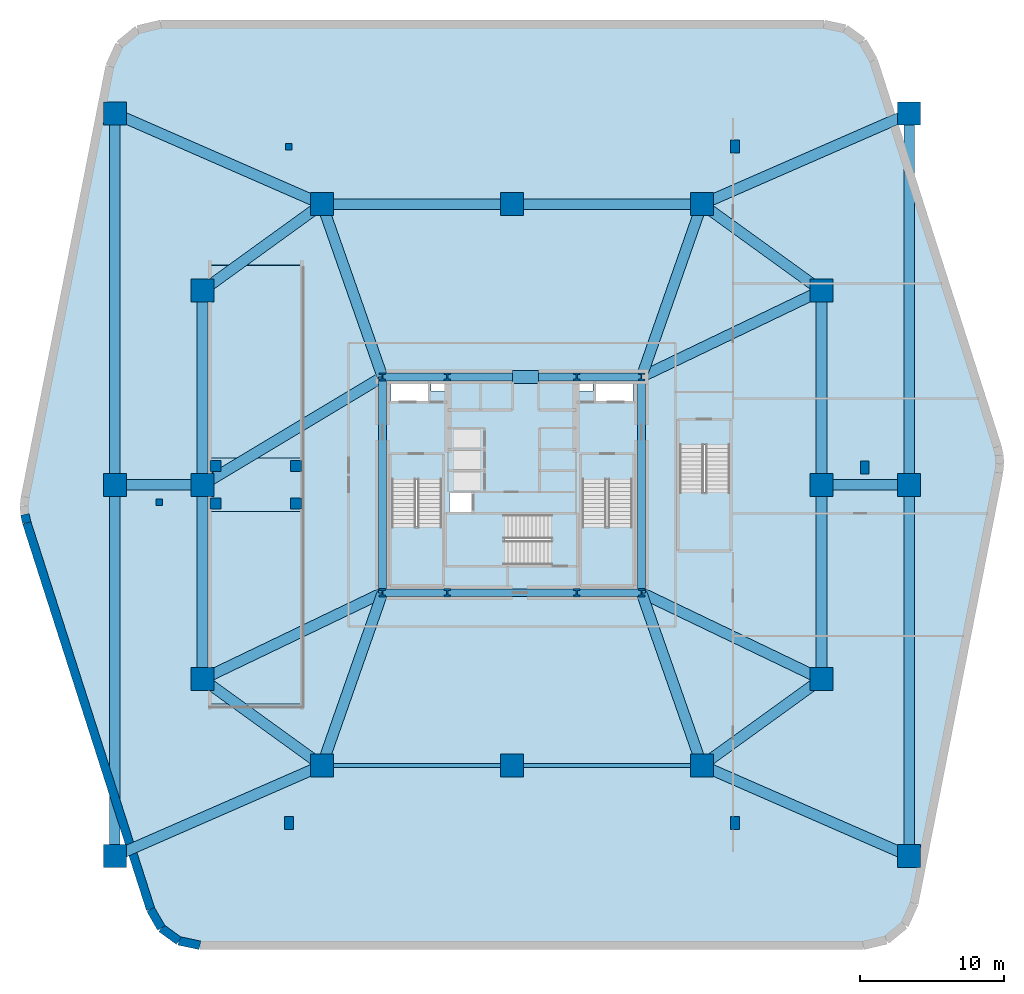
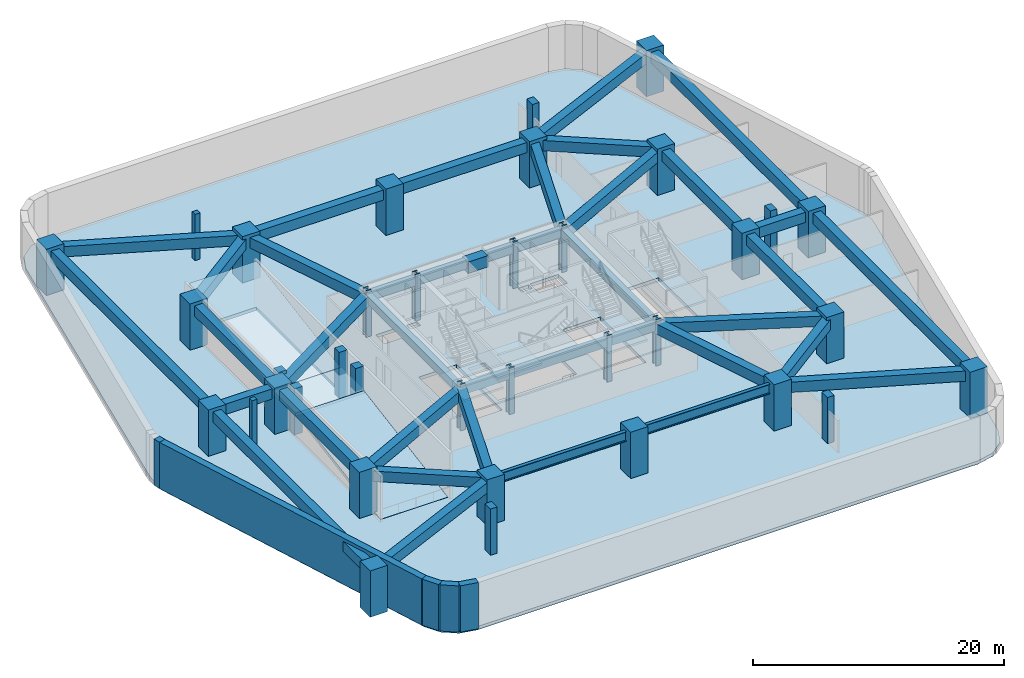
# One storey, part 1 of 9: 39 beams, 36 columns, 8 slabs, 5 walls, 4 elements without a shape of their own.
"""IFC4 building model written with IfcOpenShell, lengths in metres."""

from ifc_helpers import new_model, si_unit, direction, frame, frame_2d, origin, origin_2d, place, context, subcontext, project, spatial, polyline, rectangle, i_section, outline, extrude, material, layer, layer_set, material_profile, profile_set, type_object, element, aggregate, save


model = new_model("IFC4")

# Units and contexts
model_context = context("Model", 3, precision=1e-05, world=origin(), true_north=direction((0.0, 1.0)))
body_context = subcontext(model_context, "Body", "Model", "MODEL_VIEW")
ifc_project = project(units=[si_unit("LENGTHUNIT", "METRE"), si_unit("AREAUNIT", "SQUARE_METRE"), si_unit("VOLUMEUNIT", "CUBIC_METRE"), si_unit("PLANEANGLEUNIT", "RADIAN"), si_unit("MASSUNIT", "GRAM", prefix="KILO")], contexts=[model_context])

# Site, building, storey
site_placement = place(None, origin())
site = spatial("IfcSite", under=ifc_project, at=site_placement, CompositionType="ELEMENT")
building_placement = place(site_placement, origin())
building = spatial("IfcBuilding", under=site, at=building_placement, Name="Kilnhurst Terrace Hotel", CompositionType="ELEMENT")
storey_placement = place(building_placement, frame((0.0, 0.0, -4.5)))
storey = spatial("IfcBuildingStorey", under=building, at=storey_placement, Name="B1", CompositionType="ELEMENT", Elevation=-4.5)

# Columns
ifc_material_1 = material(Name="Concrete C80/95", Category="concrete")
ifc_material_profile_1 = material_profile(ifc_material_1, rectangle(XDim=1.60009765625, YDim=1.60009765625, at=origin_2d()), Name="RC1600X1600")
ifc_profile_set_1 = profile_set([ifc_material_profile_1], Name="Concrete C80/95")
column_type_1 = type_object("IfcColumnType", Name="COL-RC-1600", PredefinedType="COLUMN", material=ifc_profile_set_1)
for number, where, z_axis, x_axis, name in (
    (1, (-21.5, -13.5, 0.0), (0.0, 0.0, 1.0), (1.0, 0.0, 0.0), "B1 Structural Column MC-W1"),
    (2, (-21.5, 0.0, 0.0), (0.0, 0.0, 1.0), (1.0, 0.0, 0.0), "B1 Structural Column MC-W2"),
    (3, (-21.5, 13.5, 0.0), (0.0, 0.0, 1.0), (1.0, 0.0, 0.0), "B1 Structural Column MC-W3"),
    (4, (21.5, -13.5, 0.0), (0.0, 0.0, 1.0), (1.0, 0.0, 0.0), "B1 Structural Column MC-E1"),
    (5, (21.5, 0.0, 0.0), (0.0, 0.0, 1.0), (1.0, 0.0, 0.0), "B1 Structural Column MC-E2"),
    (6, (21.5, 13.5, 0.0), (0.0, 0.0, 1.0), (1.0, 0.0, 0.0), "B1 Structural Column MC-E3"),
    (7, (-13.199951171875, -19.5, 0.0), (0.0, 0.0, 1.0), (1.0, 0.0, 0.0), "B1 Structural Column MC-S1"),
    (8, (13.199951171875, -19.5, 0.0), (0.0, 0.0, 1.0), (1.0, 0.0, 0.0), "B1 Structural Column MC-S2"),
    (9, (-13.199951171875, 19.5, 0.0), (0.0, 0.0, 1.0), (1.0, 0.0, 0.0), "B1 Structural Column MC-N1"),
    (10, (0.0, 19.5, 0.0), (0.0, 0.0, 1.0), (1.0, 0.0, 0.0), "B1 Structural Column MC-N2"),
    (11, (13.199951171875, 19.5, 0.0), (0.0, 0.0, 1.0), (1.0, 0.0, 0.0), "B1 Structural Column MC-N3"),
    (12, (-27.60009765625, -25.800048828125, 0.0), (0.0, 0.0, 1.0), (1.0, 0.0, 0.0), "B1 Structural Column BC-SW"),
    (13, (27.60009765625, -25.800048828125, 0.0), (0.0, 0.0, 1.0), (1.0, 0.0, 0.0), "B1 Structural Column BC-SE"),
    (14, (27.60009765625, 25.800048828125, 0.0), (0.0, 0.0, 1.0), (1.0, 0.0, 0.0), "B1 Structural Column BC-NE"),
    (15, (-27.60009765625, 25.800048828125, 0.0), (0.0, 0.0, 1.0), (1.0, 0.0, 0.0), "B1 Structural Column BC-NW"),
    (16, (-27.60009765625, 0.0, 0.0), (0.0, 0.0, 1.0), (1.0, 0.0, 0.0), "B1 Structural Column BC-W"),
    (17, (27.60009765625, 0.0, 0.0), (0.0, 0.0, 1.0), (1.0, 0.0, 0.0), "B1 Structural Column BC-E"),
    (18, (0.0, -19.5, 0.0), (0.0, 0.0, 1.0), (1.0, 0.0, 0.0), "B1 Structural Column MC-SB0"),
):
    element("IfcColumn", number, at=place(storey_placement, frame(where, z_axis=z_axis, x_axis=x_axis)), inside=storey, type_object=column_type_1, Name=name, PredefinedType="COLUMN", context=body_context, shape_type="SweptSolid", body=[
        extrude(rectangle(XDim=1.60009765625, YDim=1.60009765625, at=origin_2d()), origin(), (0.0, 0.0, 1.0), 4.5),
    ])
ifc_material_2 = material(Name="Concrete C60/75", Category="concrete")
ifc_material_profile_2 = material_profile(ifc_material_2, rectangle(XDim=0.75, YDim=0.75, at=origin_2d()), Name="RC750X750")
ifc_profile_set_2 = profile_set([ifc_material_profile_2], Name="Concrete C60/75")
column_type_2 = type_object("IfcColumnType", Name="COL-RC-750", PredefinedType="COLUMN", material=ifc_profile_set_2)
for number, where, z_axis, x_axis, name in (
    (19, (-20.60009765625, -1.300048828125, 0.0), (0.0, 0.0, 1.0), (1.0, 0.0, 0.0), "B1 Ramp Landing Support Column 1"),
    (20, (-15.0, -1.300048828125, 0.0), (0.0, 0.0, 1.0), (1.0, 0.0, 0.0), "B1 Ramp Landing Support Column 2"),
    (21, (-20.60009765625, 1.300048828125, 0.0), (0.0, 0.0, 1.0), (1.0, 0.0, 0.0), "B1 Ramp Landing Support Column 3"),
    (22, (-15.0, 1.300048828125, 0.0), (0.0, 0.0, 1.0), (1.0, 0.0, 0.0), "B1 Ramp Landing Support Column 4"),
):
    element("IfcColumn", number, at=place(storey_placement, frame(where, z_axis=z_axis, x_axis=x_axis)), inside=storey, type_object=column_type_2, Name=name, PredefinedType="COLUMN", context=body_context, shape_type="SweptSolid", body=[
        extrude(rectangle(XDim=0.75, YDim=0.75, at=origin_2d()), origin(), (0.0, 0.0, 1.0), 4.5),
    ])
ifc_material_3 = material(Name="Steel ASTM A992 Grade 50", Category="steel")
ifc_material_profile_3 = material_profile(ifc_material_3, i_section(OverallWidth=0.454345703125, OverallDepth=0.569091796875, WebThickness=0.077880859375, FlangeThickness=0.124755859375, at=origin_2d()), Name="W14X730")
ifc_profile_set_3 = profile_set([ifc_material_profile_3], Name="Steel ASTM A992 Grade 50")
column_type_3 = type_object("IfcColumnType", Name="COL-STL-W14X730", PredefinedType="COLUMN", material=ifc_profile_set_3)
for number, where, z_axis, x_axis, name in (
    (23, (-9.0, -7.5, 0.0), (0.0, 0.0, 1.0), (1.0, 0.0, 0.0), "B1 Structural Column CC-SW"),
    (24, (-4.5, -7.5, 0.0), (0.0, 0.0, 1.0), (1.0, 0.0, 0.0), "B1 Structural Column CC-SC1"),
    (25, (4.5, -7.5, 0.0), (0.0, 0.0, 1.0), (1.0, 0.0, 0.0), "B1 Structural Column CC-SC2"),
    (26, (9.0, -7.5, 0.0), (0.0, 0.0, 1.0), (1.0, 0.0, 0.0), "B1 Structural Column CC-SE"),
    (27, (9.0, 7.5, 0.0), (0.0, 0.0, 1.0), (1.0, 0.0, 0.0), "B1 Structural Column CC-NE"),
    (28, (4.5, 7.5, 0.0), (0.0, 0.0, 1.0), (1.0, 0.0, 0.0), "B1 Structural Column CC-NC2"),
    (29, (-4.5, 7.5, 0.0), (0.0, 0.0, 1.0), (1.0, 0.0, 0.0), "B1 Structural Column CC-NC1"),
    (30, (-9.0, 7.5, 0.0), (0.0, 0.0, 1.0), (1.0, 0.0, 0.0), "B1 Structural Column CC-NW"),
):
    element("IfcColumn", number, at=place(storey_placement, frame(where, z_axis=z_axis, x_axis=x_axis)), inside=storey, type_object=column_type_3, Name=name, PredefinedType="COLUMN", context=body_context, shape_type="SweptSolid", body=[
        extrude(i_section(OverallWidth=0.454345703125, OverallDepth=0.569091796875, WebThickness=0.077880859375, FlangeThickness=0.124755859375, at=origin_2d()), origin(), (0.0, 0.0, 1.0), 4.5),
    ])
ifc_material_4 = material(Name="Concrete C50/60", Category="concrete")
ifc_material_profile_4 = material_profile(ifc_material_4, rectangle(XDim=0.449951171875, YDim=0.449951171875, at=origin_2d()), Name="RC450X450")
ifc_profile_set_4 = profile_set([ifc_material_profile_4], Name="Concrete C50/60")
column_type_4 = type_object("IfcColumnType", Name="PIL-RC-450X450", PredefinedType="PILASTER", material=ifc_profile_set_4)
for number, where, z_axis, x_axis, name in (
    (31, (-15.5, 23.5, 0.0), (0.0, 0.0, 1.0), (1.0, 0.0, 0.0), "B1 Continuous Structural Pilaster PIL5"),
    (32, (-24.5, -1.199951171875, 0.0), (0.0, 0.0, 1.0), (1.0, 0.0, 0.0), "B1 Continuous Structural Pilaster PIL6"),
):
    element("IfcColumn", number, at=place(storey_placement, frame(where, z_axis=z_axis, x_axis=x_axis)), inside=storey, type_object=column_type_4, Name=name, PredefinedType="PILASTER", context=body_context, shape_type="SweptSolid", body=[
        extrude(rectangle(XDim=0.449951171875, YDim=0.449951171875, at=origin_2d()), origin(), (0.0, 0.0, 1.0), 4.5),
    ])
ifc_material_profile_5 = material_profile(ifc_material_2, rectangle(XDim=0.60009765625, YDim=0.89990234375, at=origin_2d()), Name="RC600X900")
ifc_profile_set_5 = profile_set([ifc_material_profile_5], Name="Concrete C60/75")
column_type_5 = type_object("IfcColumnType", Name="PIL-RC-600X900", PredefinedType="PILASTER", material=ifc_profile_set_5)
for number, where, z_axis, x_axis, name in (
    (33, (-15.5, -23.5, 0.0), (0.0, 0.0, 1.0), (1.0, 0.0, 0.0), "B1 Continuous Structural Pilaster PIL1"),
    (34, (15.5, -23.5, 0.0), (0.0, 0.0, 1.0), (1.0, 0.0, 0.0), "B1 Continuous Structural Pilaster PIL2"),
    (35, (24.5, 1.199951171875, 0.0), (0.0, 0.0, 1.0), (1.0, 0.0, 0.0), "B1 Continuous Structural Pilaster PIL3"),
    (36, (15.5, 23.5, 0.0), (0.0, 0.0, 1.0), (1.0, 0.0, 0.0), "B1 Continuous Structural Pilaster PIL4"),
):
    element("IfcColumn", number, at=place(storey_placement, frame(where, z_axis=z_axis, x_axis=x_axis)), inside=storey, type_object=column_type_5, Name=name, PredefinedType="PILASTER", context=body_context, shape_type="SweptSolid", body=[
        extrude(rectangle(XDim=0.60009765625, YDim=0.89990234375, at=origin_2d()), origin(), (0.0, 0.0, 1.0), 4.5),
    ])

# Beams
ifc_material_profile_6 = material_profile(ifc_material_4, rectangle(XDim=0.550048828125, YDim=0.75, at=origin_2d()), Name="RC550X750")
ifc_profile_set_6 = profile_set([ifc_material_profile_6], Name="Concrete C50/60")
beam_type_1 = type_object("IfcBeamType", Name="BM-SPN-550X750", PredefinedType="SPANDREL", material=ifc_profile_set_6)
beam_1_placement = place(storey_placement, frame((-9.0, 7.5, 3.804931640625), z_axis=(1.0, 0.0, 0.0), x_axis=(0.0, 1.0, 0.0)))
element("IfcBeam", 37, at=beam_1_placement, inside=storey, type_object=beam_type_1, Name="B1 Core Tie Beam CC-NW to CC-NC1", PredefinedType="SPANDREL", context=body_context, shape_type="SweptSolid", body=[
    extrude(rectangle(XDim=0.550048828125, YDim=0.75, at=origin_2d()), origin(), (0.0, 0.0, 1.0), 4.5),
])
beam_2_placement = place(storey_placement, frame((-4.5, 7.5, 3.804931640625), z_axis=(1.0, 0.0, 0.0), x_axis=(0.0, 1.0, 0.0)))
element("IfcBeam", 38, at=beam_2_placement, inside=storey, type_object=beam_type_1, Name="B1 Core Tie Beam CC-NC1 to CC-NC2", PredefinedType="SPANDREL", context=body_context, shape_type="SweptSolid", body=[
    extrude(rectangle(XDim=0.550048828125, YDim=0.75, at=origin_2d()), origin(), (0.0, 0.0, 1.0), 9.0),
])
for number, where, z_axis, x_axis, name in (
    (39, (4.5, 7.5, 3.804931640625), (1.0, 0.0, 0.0), (0.0, 1.0, 0.0), "B1 Core Tie Beam CC-NC2 to CC-NE"),
    (40, (-9.0, -7.5, 3.804931640625), (1.0, 0.0, 0.0), (0.0, 1.0, 0.0), "B1 Core Tie Beam CC-SW to CC-SC1"),
):
    element("IfcBeam", number, at=place(storey_placement, frame(where, z_axis=z_axis, x_axis=x_axis)), inside=storey, type_object=beam_type_1, Name=name, PredefinedType="SPANDREL", context=body_context, shape_type="SweptSolid", body=[
        extrude(rectangle(XDim=0.550048828125, YDim=0.75, at=origin_2d()), origin(), (0.0, 0.0, 1.0), 4.5),
    ])
beam_3_placement = place(storey_placement, frame((-4.5, -7.5, 3.804931640625), z_axis=(1.0, 0.0, 0.0), x_axis=(0.0, 1.0, 0.0)))
element("IfcBeam", 41, at=beam_3_placement, inside=storey, type_object=beam_type_1, Name="B1 Core Tie Beam CC-SC1 to CC-SC2", PredefinedType="SPANDREL", context=body_context, shape_type="SweptSolid", body=[
    extrude(rectangle(XDim=0.550048828125, YDim=0.75, at=origin_2d()), origin(), (0.0, 0.0, 1.0), 9.0),
])
beam_4_placement = place(storey_placement, frame((4.5, -7.5, 3.804931640625), z_axis=(1.0, 0.0, 0.0), x_axis=(0.0, 1.0, 0.0)))
element("IfcBeam", 42, at=beam_4_placement, inside=storey, type_object=beam_type_1, Name="B1 Core Tie Beam CC-SC2 to CC-SE", PredefinedType="SPANDREL", context=body_context, shape_type="SweptSolid", body=[
    extrude(rectangle(XDim=0.550048828125, YDim=0.75, at=origin_2d()), origin(), (0.0, 0.0, 1.0), 4.5),
])
for number, where, z_axis, x_axis, name in (
    (43, (-9.0, -7.5, 3.804931640625), (0.0, 1.0, 0.0), (-1.0, 0.0, 0.0), "B1 Core Tie Beam CC-SW to CC-NW"),
    (44, (9.0, -7.5, 3.804931640625), (0.0, 1.0, 0.0), (-1.0, 0.0, 0.0), "B1 Core Tie Beam CC-SE to CC-NE"),
):
    element("IfcBeam", number, at=place(storey_placement, frame(where, z_axis=z_axis, x_axis=x_axis)), inside=storey, type_object=beam_type_1, Name=name, PredefinedType="SPANDREL", context=body_context, shape_type="SweptSolid", body=[
        extrude(rectangle(XDim=0.550048828125, YDim=0.75, at=origin_2d()), origin(), (0.0, 0.0, 1.0), 15.0),
    ])
ifc_material_profile_7 = material_profile(ifc_material_3, i_section(OverallWidth=0.307861328125, OverallDepth=0.94287109375, WebThickness=0.022216796875, FlangeThickness=0.039794921875, at=origin_2d()), Name="W36X232")
ifc_profile_set_7 = profile_set([ifc_material_profile_7], Name="Steel ASTM A992 Grade 50")
beam_type_2 = type_object("IfcBeamType", Name="BM-STL-W36X232", PredefinedType="BEAM", material=ifc_profile_set_7)
for number, where, z_axis, x_axis, name in (
    (45, (-13.199951171875, -19.5, 3.7099609375), (1.0, 0.0, 0.0), (0.0, 1.0, 0.0), "B1 Sub-Ballroom Girder 1"),
    (46, (0.0, -19.5, 3.7099609375), (1.0, 0.0, 0.0), (0.0, 1.0, 0.0), "B1 Sub-Ballroom Girder 2"),
):
    element("IfcBeam", number, at=place(storey_placement, frame(where, z_axis=z_axis, x_axis=x_axis)), inside=storey, type_object=beam_type_2, Name=name, PredefinedType="BEAM", context=body_context, shape_type="SweptSolid", body=[
        extrude(i_section(OverallWidth=0.307861328125, OverallDepth=0.94287109375, WebThickness=0.022216796875, FlangeThickness=0.039794921875, at=origin_2d()), origin(), (0.0, 0.0, 1.0), 13.199951171875),
    ])
ifc_material_profile_8 = material_profile(ifc_material_1, rectangle(XDim=0.89990234375, YDim=1.10009765625, at=origin_2d()), Name="RC900X1100")
ifc_profile_set_8 = profile_set([ifc_material_profile_8], Name="Concrete C80/95")
beam_type_3 = type_object("IfcBeamType", Name="LNT-CB-900X1100", PredefinedType="LINTEL", material=ifc_profile_set_8)
beam_5_placement = place(storey_placement, frame((0.050048828125, 7.5, 3.6298828125), z_axis=(1.0, 0.0, 0.0), x_axis=(0.0, 1.0, 0.0)))
element("IfcBeam", 47, at=beam_5_placement, inside=storey, type_object=beam_type_3, Name="B1 North Core Coupling Link Beam", PredefinedType="LINTEL", context=body_context, shape_type="SweptSolid", body=[
    extrude(rectangle(XDim=0.89990234375, YDim=1.10009765625, at=origin_2d()), origin(), (0.0, 0.0, 1.0), 1.800048828125),
])
ifc_material_profile_9 = material_profile(ifc_material_4, rectangle(XDim=0.75, YDim=1.0, at=origin_2d()), Name="RC750X1000")
ifc_profile_set_9 = profile_set([ifc_material_profile_9], Name="Concrete C50/60")
beam_type_4 = type_object("IfcBeamType", Name="TBM-GAR-750X1000", PredefinedType="T_BEAM", material=ifc_profile_set_9)
for number, where, z_axis, x_axis, name in (
    (48, (-21.5, -13.5, 3.679931640625), (0.0, 1.0, 0.0), (-1.0, 0.0, 0.0), "B1 Podium Frame Beam 1"),
    (49, (-21.5, 0.0, 3.679931640625), (0.0, 1.0, 0.0), (-1.0, 0.0, 0.0), "B1 Podium Frame Beam 2"),
):
    element("IfcBeam", number, at=place(storey_placement, frame(where, z_axis=z_axis, x_axis=x_axis)), inside=storey, type_object=beam_type_4, Name=name, PredefinedType="T_BEAM", context=body_context, shape_type="SweptSolid", body=[
        extrude(rectangle(XDim=0.75, YDim=1.0, at=origin_2d()), origin(), (0.0, 0.0, 1.0), 13.5),
    ])
beam_6_placement = place(storey_placement, frame((-21.5, 13.5, 3.679931640625), z_axis=(0.810423314702, 0.585844732833, 0.0), x_axis=(-0.585844732833, 0.810423314702, 0.0)))
element("IfcBeam", 50, at=beam_6_placement, inside=storey, type_object=beam_type_4, Name="B1 Podium Frame Beam 3", PredefinedType="T_BEAM", context=body_context, shape_type="SweptSolid", body=[
    extrude(rectangle(XDim=0.75, YDim=1.0, at=origin_2d()), origin(), (0.0, 0.0, 1.0), 10.24169921875),
])
for number, where, z_axis, x_axis, name in (
    (51, (-13.199951171875, 19.5, 3.679931640625), (1.0, 0.0, 0.0), (0.0, 1.0, 0.0), "B1 Podium Frame Beam 4"),
    (52, (0.0, 19.5, 3.679931640625), (1.0, 0.0, 0.0), (0.0, 1.0, 0.0), "B1 Podium Frame Beam 5"),
):
    element("IfcBeam", number, at=place(storey_placement, frame(where, z_axis=z_axis, x_axis=x_axis)), inside=storey, type_object=beam_type_4, Name=name, PredefinedType="T_BEAM", context=body_context, shape_type="SweptSolid", body=[
        extrude(rectangle(XDim=0.75, YDim=1.0, at=origin_2d()), origin(), (0.0, 0.0, 1.0), 13.199951171875),
    ])
beam_7_placement = place(storey_placement, frame((13.199951171875, 19.5, 3.679931640625), z_axis=(0.810423314702, -0.585844732833, 0.0), x_axis=(0.585844732833, 0.810423314702, 0.0)))
element("IfcBeam", 53, at=beam_7_placement, inside=storey, type_object=beam_type_4, Name="B1 Podium Frame Beam 6", PredefinedType="T_BEAM", context=body_context, shape_type="SweptSolid", body=[
    extrude(rectangle(XDim=0.75, YDim=1.0, at=origin_2d()), origin(), (0.0, 0.0, 1.0), 10.24169921875),
])
for number, where, z_axis, x_axis, name in (
    (54, (21.5, 13.5, 3.679931640625), (0.0, -1.0, 0.0), (1.0, 0.0, 0.0), "B1 Podium Frame Beam 7"),
    (55, (21.5, 0.0, 3.679931640625), (0.0, -1.0, 0.0), (1.0, 0.0, 0.0), "B1 Podium Frame Beam 8"),
):
    element("IfcBeam", number, at=place(storey_placement, frame(where, z_axis=z_axis, x_axis=x_axis)), inside=storey, type_object=beam_type_4, Name=name, PredefinedType="T_BEAM", context=body_context, shape_type="SweptSolid", body=[
        extrude(rectangle(XDim=0.75, YDim=1.0, at=origin_2d()), origin(), (0.0, 0.0, 1.0), 13.5),
    ])
beam_8_placement = place(storey_placement, frame((-21.5, 0.0, 3.679931640625), z_axis=(0.857492925713, 0.514495755428, 0.0), x_axis=(-0.514495755428, 0.857492925713, 0.0)))
element("IfcBeam", 56, at=beam_8_placement, inside=storey, type_object=beam_type_4, Name="B1 Podium Frame Beam 9", PredefinedType="T_BEAM", context=body_context, shape_type="SweptSolid", body=[
    extrude(rectangle(XDim=0.75, YDim=1.0, at=origin_2d()), origin(), (0.0, 0.0, 1.0), 14.577392578125),
])
for number, where, z_axis, x_axis, name in (
    (57, (-21.5, -13.5, 3.679931640625), (0.901523057468, 0.432731067585, 0.0), (-0.432731067585, 0.901523057468, 0.0), "B1 Podium Frame Beam 10"),
    (58, (21.5, 13.5, 3.679931640625), (-0.901523057468, -0.432731067585, 0.0), (0.432731067585, -0.901523057468, 0.0), "B1 Podium Frame Beam 11"),
    (59, (21.5, -13.5, 3.679931640625), (-0.901523057468, 0.432731067585, 0.0), (-0.432731067585, -0.901523057468, 0.0), "B1 Podium Frame Beam 12"),
):
    element("IfcBeam", number, at=place(storey_placement, frame(where, z_axis=z_axis, x_axis=x_axis)), inside=storey, type_object=beam_type_4, Name=name, PredefinedType="T_BEAM", context=body_context, shape_type="SweptSolid", body=[
        extrude(rectangle(XDim=0.75, YDim=1.0, at=origin_2d()), origin(), (0.0, 0.0, 1.0), 13.865478515625),
    ])
for number, where, z_axis, x_axis, name in (
    (60, (-13.199951171875, 19.5, 3.679931640625), (0.330347003279, -0.943859553866, 0.0), (0.943859553866, 0.330347003279, 0.0), "B1 Podium Frame Beam 13"),
    (61, (13.199951171875, 19.5, 3.679931640625), (-0.330347003279, -0.943859553866, 0.0), (0.943859553866, -0.330347003279, 0.0), "B1 Podium Frame Beam 14"),
    (62, (-13.199951171875, -19.5, 3.679931640625), (0.330347003279, 0.943859553866, 0.0), (-0.943859553866, 0.330347003279, 0.0), "B1 Podium Frame Beam 15"),
    (63, (13.199951171875, -19.5, 3.679931640625), (-0.330347003279, 0.943859553866, 0.0), (-0.943859553866, -0.330347003279, 0.0), "B1 Podium Frame Beam 16"),
):
    element("IfcBeam", number, at=place(storey_placement, frame(where, z_axis=z_axis, x_axis=x_axis)), inside=storey, type_object=beam_type_4, Name=name, PredefinedType="T_BEAM", context=body_context, shape_type="SweptSolid", body=[
        extrude(rectangle(XDim=0.75, YDim=1.0, at=origin_2d()), origin(), (0.0, 0.0, 1.0), 12.7138671875),
    ])
for number, where, z_axis, x_axis, name in (
    (64, (-21.5, -13.5, 3.679931640625), (0.810423314702, -0.585844732833, 0.0), (0.585844732833, 0.810423314702, 0.0), "B1 Podium Frame Beam 17"),
    (65, (21.5, -13.5, 3.679931640625), (-0.810423314702, -0.585844732833, 0.0), (0.585844732833, -0.810423314702, 0.0), "B1 Podium Frame Beam 18"),
):
    element("IfcBeam", number, at=place(storey_placement, frame(where, z_axis=z_axis, x_axis=x_axis)), inside=storey, type_object=beam_type_4, Name=name, PredefinedType="T_BEAM", context=body_context, shape_type="SweptSolid", body=[
        extrude(rectangle(XDim=0.75, YDim=1.0, at=origin_2d()), origin(), (0.0, 0.0, 1.0), 10.24169921875),
    ])
for number, where, z_axis, x_axis, name in (
    (66, (-27.60009765625, -25.800048828125, 3.679931640625), (0.0, 1.0, 0.0), (-1.0, 0.0, 0.0), "B1 Outer Ring Tee Beam 1"),
    (67, (-27.60009765625, 0.0, 3.679931640625), (0.0, 1.0, 0.0), (-1.0, 0.0, 0.0), "B1 Outer Ring Tee Beam 2"),
):
    element("IfcBeam", number, at=place(storey_placement, frame(where, z_axis=z_axis, x_axis=x_axis)), inside=storey, type_object=beam_type_4, Name=name, PredefinedType="T_BEAM", context=body_context, shape_type="SweptSolid", body=[
        extrude(rectangle(XDim=0.75, YDim=1.0, at=origin_2d()), origin(), (0.0, 0.0, 1.0), 25.800048828125),
    ])
beam_9_placement = place(storey_placement, frame((-27.60009765625, 25.800048828125, 3.679931640625), z_axis=(0.916157691387, -0.400818019196, 0.0), x_axis=(0.400818019196, 0.916157691387, 0.0)))
element("IfcBeam", 68, at=beam_9_placement, inside=storey, type_object=beam_type_4, Name="B1 Outer Ring Tee Beam 3", PredefinedType="T_BEAM", context=body_context, shape_type="SweptSolid", body=[
    extrude(rectangle(XDim=0.75, YDim=1.0, at=origin_2d()), origin(), (0.0, 0.0, 1.0), 15.718017578125),
])
for number, where, z_axis, x_axis, name in (
    (69, (27.60009765625, -25.800048828125, 3.679931640625), (0.0, 1.0, 0.0), (-1.0, 0.0, 0.0), "B1 Outer Ring Tee Beam 4"),
    (70, (27.60009765625, 0.0, 3.679931640625), (0.0, 1.0, 0.0), (-1.0, 0.0, 0.0), "B1 Outer Ring Tee Beam 5"),
):
    element("IfcBeam", number, at=place(storey_placement, frame(where, z_axis=z_axis, x_axis=x_axis)), inside=storey, type_object=beam_type_4, Name=name, PredefinedType="T_BEAM", context=body_context, shape_type="SweptSolid", body=[
        extrude(rectangle(XDim=0.75, YDim=1.0, at=origin_2d()), origin(), (0.0, 0.0, 1.0), 25.800048828125),
    ])
beam_10_placement = place(storey_placement, frame((27.60009765625, 25.800048828125, 3.679931640625), z_axis=(-0.916157691387, -0.400818019196, 0.0), x_axis=(0.400818019196, -0.916157691387, 0.0)))
element("IfcBeam", 71, at=beam_10_placement, inside=storey, type_object=beam_type_4, Name="B1 Outer Ring Tee Beam 6", PredefinedType="T_BEAM", context=body_context, shape_type="SweptSolid", body=[
    extrude(rectangle(XDim=0.75, YDim=1.0, at=origin_2d()), origin(), (0.0, 0.0, 1.0), 15.718017578125),
])
for number, where, z_axis, x_axis, name in (
    (72, (-27.60009765625, 0.0, 3.679931640625), (1.0, 0.0, 0.0), (0.0, 1.0, 0.0), "B1 Outer Ring Tee Beam 7"),
    (73, (27.60009765625, 0.0, 3.679931640625), (-1.0, 0.0, 0.0), (0.0, -1.0, 0.0), "B1 Outer Ring Tee Beam 8"),
):
    element("IfcBeam", number, at=place(storey_placement, frame(where, z_axis=z_axis, x_axis=x_axis)), inside=storey, type_object=beam_type_4, Name=name, PredefinedType="T_BEAM", context=body_context, shape_type="SweptSolid", body=[
        extrude(rectangle(XDim=0.75, YDim=1.0, at=origin_2d()), origin(), (0.0, 0.0, 1.0), 6.10009765625),
    ])
for number, where, z_axis, x_axis, name in (
    (74, (-27.60009765625, -25.800048828125, 3.679931640625), (0.916157691387, 0.400818019196, 0.0), (-0.400818019196, 0.916157691387, 0.0), "B1 Outer Ring Tee Beam 9"),
    (75, (27.60009765625, -25.800048828125, 3.679931640625), (-0.916157691387, 0.400818019196, 0.0), (-0.400818019196, -0.916157691387, 0.0), "B1 Outer Ring Tee Beam 10"),
):
    element("IfcBeam", number, at=place(storey_placement, frame(where, z_axis=z_axis, x_axis=x_axis)), inside=storey, type_object=beam_type_4, Name=name, PredefinedType="T_BEAM", context=body_context, shape_type="SweptSolid", body=[
        extrude(rectangle(XDim=0.75, YDim=1.0, at=origin_2d()), origin(), (0.0, 0.0, 1.0), 15.718017578125),
    ])

# Slabs
ifc_layer_1 = layer(ifc_material_4, 0.320068359375, Name="Concrete C50/60")
ifc_layer_set_1 = layer_set([ifc_layer_1], Name="Concrete C50/60")
slab_type_1 = type_object("IfcSlabType", Name="SLB-FLR-320", PredefinedType="FLOOR", material=ifc_layer_set_1)
slab_1_placement = place(storey_placement, frame((0.0, 0.0, -0.320068359375)))
element("IfcSlab", 76, at=slab_1_placement, inside=storey, type_object=slab_type_1, Name="B1 Structural Floor Slab", PredefinedType="FLOOR", context=body_context, shape_type="SweptSolid", body=[
    extrude(outline(polyline([(-25.111572265625, -29.49853515625), (-24.364990234375, -30.801513671875), (-23.152099609375, -31.686767578125), (-21.683349609375, -32.0), (24.408203125, -32.0), (26.003173828125, -31.62744140625), (27.267822265625, -30.5869140625), (27.940673828125, -29.09375), (33.8212890625, 0.850341796875), (33.8876953125, 1.450927734375), (33.8525390625, 2.053955078125), (33.717041015625, 2.642578125), (25.111572265625, 29.49853515625), (24.364990234375, 30.801513671875), (23.152099609375, 31.686767578125), (21.683349609375, 32.0), (-24.408203125, 32.0), (-26.003173828125, 31.62744140625), (-27.267822265625, 30.5869140625), (-27.940673828125, 29.09375), (-33.8212890625, -0.850341796875), (-33.8876953125, -1.450927734375), (-33.8525390625, -2.053955078125), (-33.717041015625, -2.642578125), (-25.111572265625, -29.49853515625)]), holes=[polyline([(2.7548828125, -2.080078125), (2.7548828125, -5.550048828125), (-4.5, -5.550048828125), (-4.5, -2.080078125), (2.7548828125, -2.080078125)]), polyline([(-8.35009765625, 0.35498046875), (-4.8798828125, 0.35498046875), (-4.8798828125, -6.89990234375), (-8.35009765625, -6.89990234375), (-8.35009765625, 0.35498046875)]), polyline([(4.8798828125, 0.35498046875), (8.35009765625, 0.35498046875), (8.35009765625, -6.89990234375), (4.8798828125, -6.89990234375), (4.8798828125, 0.35498046875)]), polyline([(-4.35009765625, -1.89990234375), (-4.35009765625, -0.550048828125), (-2.800048828125, -0.550048828125), (-2.800048828125, -1.89990234375), (-4.35009765625, -1.89990234375)]), polyline([(15.1201171875, 2.7548828125), (15.1201171875, -4.5), (11.64990234375, -4.5), (11.64990234375, 2.7548828125), (15.1201171875, 2.7548828125)]), polyline([(-14.699951171875, -15.25), (-20.89990234375, -15.25), (-20.89990234375, 15.25), (-14.699951171875, 15.25), (-14.699951171875, -15.25)]), polyline([(-5.800048828125, 5.75), (-8.39990234375, 5.75), (-8.39990234375, 7.14990234375), (-5.800048828125, 7.14990234375), (-5.800048828125, 5.75)]), polyline([(8.39990234375, 5.75), (5.800048828125, 5.75), (5.800048828125, 7.14990234375), (8.39990234375, 7.14990234375), (8.39990234375, 5.75)]), polyline([(-5.6201171875, 6.52001953125), (-5.6201171875, 7.080078125), (-4.659912109375, 7.080078125), (-4.659912109375, 6.52001953125), (-5.6201171875, 6.52001953125)]), polyline([(4.659912109375, 6.52001953125), (4.659912109375, 7.080078125), (5.6201171875, 7.080078125), (5.6201171875, 6.52001953125), (4.659912109375, 6.52001953125)])]), origin(), (0.0, 0.0, 1.0), 0.320068359375),
])
ifc_layer_2 = layer(ifc_material_4, 0.300048828125, Name="Concrete C50/60")
ifc_layer_set_2 = layer_set([ifc_layer_2], Name="Concrete C50/60")
slab_type_2 = type_object("IfcSlabType", Name="SLB-RMP-LND-300", PredefinedType="FLOOR", material=ifc_layer_set_2)
slab_2_placement = place(storey_placement, frame((0.0, 0.0, 1.949951171875)))
element("IfcSlab", 77, at=slab_2_placement, inside=storey, type_object=slab_type_2, Name="B1 Vehicle Car Park Ramp Driveway R2 Intermediate Deck Slab", PredefinedType="FLOOR", context=body_context, shape_type="SweptSolid", body=[
    extrude(outline(polyline([(-21.0, -1.85009765625), (-14.60009765625, -1.85009765625), (-14.60009765625, 1.85009765625), (-21.0, 1.85009765625), (-21.0, -1.85009765625)])), origin(), (0.0, 0.0, 1.0), 0.300048828125),
])
ifc_layer_3 = layer(ifc_material_4, 0.300048828125, Name="Concrete C50/60")
ifc_layer_set_3 = layer_set([ifc_layer_3], Name="Concrete C50/60")
slab_type_3 = type_object("IfcSlabType", Name="SLB-RMP-VEH-300", PredefinedType="FLOOR", material=ifc_layer_set_3)
for number, where, z_axis, x_axis, name in (
    (78, (-20.89990234375, -15.239990234375, 0.0), (0.0, -0.165834457768, 0.986153604981), (1.0, 0.0, 0.0), "B1 Vehicle Car Park Ramp R2 Lower Structural Slab"),
    (79, (-20.89990234375, 1.860107421875, 2.25), (0.0, -0.165834457768, 0.986153604981), (1.0, 0.0, 0.0), "B1 Vehicle Car Park Ramp R2 Upper Structural Slab"),
):
    element("IfcSlab", number, at=place(storey_placement, frame(where, z_axis=z_axis, x_axis=x_axis)), inside=storey, type_object=slab_type_3, Name=name, PredefinedType="FLOOR", context=body_context, shape_type="SweptSolid", body=[
        extrude(outline(polyline([(0.0, 0.0), (6.199951171875, 0.0), (6.199951171875, 13.567747199746645), (0.0, 13.567747199746645), (0.0, 0.0)])), origin(), (0.0, 0.0, -1.0), 0.300048828125),
    ])

# Stair, slab
stair_type_1 = type_object("IfcStairType", Name="STR-CORE-1660", PredefinedType="HALF_TURN_STAIR", material=ifc_material_4)
stair_1_placement = place(storey_placement, origin())
stair_1 = element("IfcStair", 80, at=stair_1_placement, inside=storey, type_object=stair_type_1, Name="B1 ST-1", PredefinedType="HALF_TURN_STAIR")
ifc_layer_4 = layer(ifc_material_4, 0.199951171875, Name="Concrete C50/60")
ifc_layer_set_4 = layer_set([ifc_layer_4], Name="Concrete C50/60")
slab_type_4 = type_object("IfcSlabType", Name="SLB-ST-LND-200", PredefinedType="LANDING", material=ifc_layer_set_4)
slab_3_placement = place(storey_placement, frame((0.0, 0.0, 2.050048828125)))
slab_3 = element("IfcSlab", 81, at=slab_3_placement, type_object=slab_type_4, Name="ST-1 landing 1", PredefinedType="LANDING", context=body_context, shape_type="SweptSolid", body=[
    extrude(outline(polyline([(-8.429931640625, -2.889892578125), (-4.800048828125, -2.889892578125), (-4.800048828125, -6.97998046875), (-8.429931640625, -6.97998046875), (-8.429931640625, -2.889892578125)])), origin(), (0.0, 0.0, 1.0), 0.199951171875),
])
aggregate(stair_1, [slab_3])

stair_2_placement = place(storey_placement, origin())
stair_2 = element("IfcStair", 82, at=stair_2_placement, inside=storey, type_object=stair_type_1, Name="B1 ST-2", PredefinedType="HALF_TURN_STAIR")
slab_4_placement = place(storey_placement, frame((0.0, 0.0, 2.050048828125)))
slab_4 = element("IfcSlab", 83, at=slab_4_placement, type_object=slab_type_4, Name="ST-2 landing 1", PredefinedType="LANDING", context=body_context, shape_type="SweptSolid", body=[
    extrude(outline(polyline([(4.800048828125, -2.889892578125), (8.429931640625, -2.889892578125), (8.429931640625, -6.97998046875), (4.800048828125, -6.97998046875), (4.800048828125, -2.889892578125)])), origin(), (0.0, 0.0, 1.0), 0.199951171875),
])
aggregate(stair_2, [slab_4])

stair_3_placement = place(storey_placement, origin())
stair_3 = element("IfcStair", 84, at=stair_3_placement, inside=storey, type_object=stair_type_1, Name="B1 ST-3", PredefinedType="HALF_TURN_STAIR")
slab_5_placement = place(storey_placement, frame((0.0, 0.0, 2.050048828125)))
slab_5 = element("IfcSlab", 85, at=slab_5_placement, type_object=slab_type_4, Name="ST-3 landing 1", PredefinedType="LANDING", context=body_context, shape_type="SweptSolid", body=[
    extrude(outline(polyline([(-0.489990234375, -2.0), (-0.489990234375, -5.6298828125), (-4.580078125, -5.6298828125), (-4.580078125, -2.0), (-0.489990234375, -2.0)])), origin(), (0.0, 0.0, 1.0), 0.199951171875),
])
aggregate(stair_3, [slab_5])

ifc_material_5 = material(Name="Concrete C40/50", Category="concrete")
stair_type_2 = type_object("IfcStairType", Name="STR-POD-1660", PredefinedType="HALF_TURN_STAIR", material=ifc_material_5)
stair_4_placement = place(storey_placement, origin())
stair_4 = element("IfcStair", 86, at=stair_4_placement, inside=storey, type_object=stair_type_2, Name="B1 ST-4", PredefinedType="HALF_TURN_STAIR")
slab_6_placement = place(storey_placement, frame((0.0, 0.0, 2.050048828125)))
slab_6 = element("IfcSlab", 87, at=slab_6_placement, type_object=slab_type_4, Name="ST-4 landing 1", PredefinedType="LANDING", context=body_context, shape_type="SweptSolid", body=[
    extrude(outline(polyline([(11.570068359375, -0.489990234375), (15.199951171875, -0.489990234375), (15.199951171875, -4.580078125), (11.570068359375, -4.580078125), (11.570068359375, -0.489990234375)])), origin(), (0.0, 0.0, 1.0), 0.199951171875),
])
aggregate(stair_4, [slab_6])

# Walls
ifc_layer_5 = layer(ifc_material_4, 0.60009765625, Name="Concrete C50/60")
ifc_layer_set_5 = layer_set([ifc_layer_5], Name="Concrete C50/60")
wall_type = type_object("IfcWallType", Name="WL-RET-600", PredefinedType="SHEAR", material=ifc_layer_set_5)
for number, where, z_axis, x_axis, name in (
    (88, (-25.111572265625, -29.49853515625, 0.0), (0.0, 0.0, 1.0), (0.497154066909, -0.867662280934, 0.0), "B1 Perimeter Shear Retaining Wall 1"),
    (89, (-24.364990234375, -30.801513671875, 0.0), (0.0, 0.0, 1.0), (0.807736541804, -0.58954361928, 0.0), "B1 Perimeter Shear Retaining Wall 2"),
    (90, (-23.152099609375, -31.686767578125, 0.0), (0.0, 0.0, 1.0), (0.978006545164, -0.208574201703, 0.0), "B1 Perimeter Shear Retaining Wall 3"),
):
    element("IfcWall", number, at=place(storey_placement, frame(where, z_axis=z_axis, x_axis=x_axis)), inside=storey, type_object=wall_type, Name=name, PredefinedType="SHEAR", context=body_context, shape_type="SweptSolid", body=[
        extrude(rectangle(XDim=1.501708984375, YDim=0.60009765625, at=frame_2d((0.7509765625, 0.0))), origin(), (0.0, 0.0, 1.0), 4.5),
    ])
wall_1_placement = place(storey_placement, frame((-33.8525390625, -2.053955078125, 0.0), z_axis=(0.0, 0.0, 1.0), x_axis=(0.224328116051, -0.97451367171, 0.0)))
element("IfcWall", 91, at=wall_1_placement, inside=storey, type_object=wall_type, Name="B1 Perimeter Shear Retaining Wall 23", PredefinedType="SHEAR", context=body_context, shape_type="SweptSolid", body=[
    extrude(rectangle(XDim=0.60400390625, YDim=0.60009765625, at=frame_2d((0.302001953125, 0.0))), origin(), (0.0, 0.0, 1.0), 4.5),
])
wall_2_placement = place(storey_placement, frame((-33.717041015625, -2.642578125, 0.0), z_axis=(0.0, 0.0, 1.0), x_axis=(0.305147622554, -0.952305060603, 0.0)))
element("IfcWall", 92, at=wall_2_placement, inside=storey, type_object=wall_type, Name="B1 Perimeter Shear Retaining Wall 24", PredefinedType="SHEAR", context=body_context, shape_type="SweptSolid", body=[
    extrude(rectangle(XDim=28.200927734375, YDim=0.60009765625, at=frame_2d((14.1005859375, 0.0))), origin(), (0.0, 0.0, 1.0), 4.5),
])

save(model, "model.ifc")
